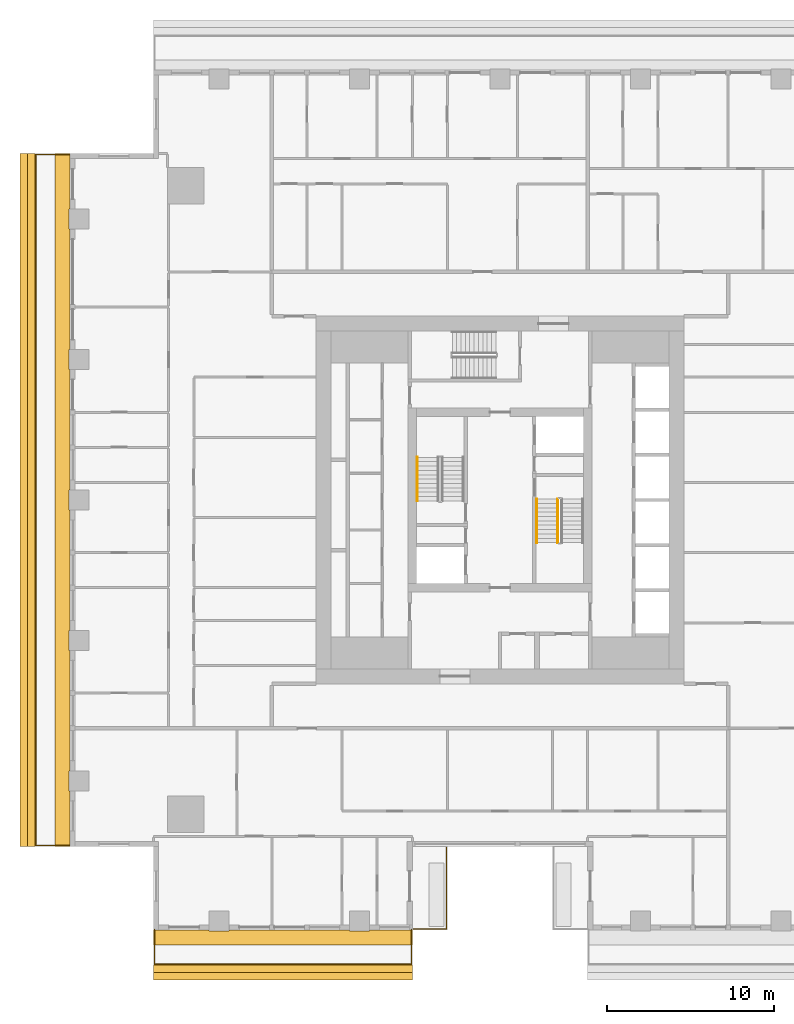
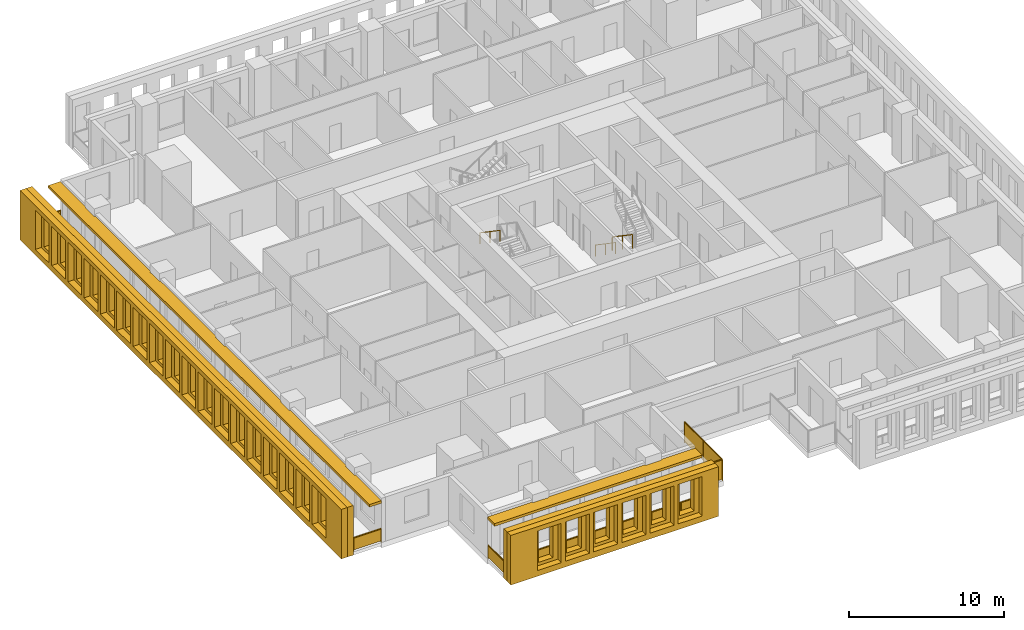
# One storey, part 11 of 15: 6 railings, 6 shading devices.
"""IFC4 building model written with IfcOpenShell, lengths in metres."""

from ifc_helpers import new_model, si_unit, direction, frame, origin, origin_2d, place, context, subcontext, project, spatial, polyline, rectangle, outline, extrude, material, layer, layer_set, type_object, element, save


model = new_model("IFC4")

# Units and contexts
model_context = context("Model", 3, precision=1e-05, world=origin(), true_north=direction((0.0, 1.0)))
body_context = subcontext(model_context, "Body", "Model", "MODEL_VIEW")
ifc_project = project(units=[si_unit("LENGTHUNIT", "METRE"), si_unit("AREAUNIT", "SQUARE_METRE"), si_unit("VOLUMEUNIT", "CUBIC_METRE"), si_unit("PLANEANGLEUNIT", "RADIAN"), si_unit("MASSUNIT", "GRAM", prefix="KILO")], contexts=[model_context])

# Site, building, storey
site_placement = place(None, origin())
site = spatial("IfcSite", under=ifc_project, at=site_placement, CompositionType="ELEMENT")
building_placement = place(site_placement, origin())
building = spatial("IfcBuilding", under=site, at=building_placement, Name="Khepri Terraces", CompositionType="ELEMENT")
storey_placement = place(building_placement, frame((0.0, 0.0, 248.39990234375)))
storey = spatial("IfcBuildingStorey", under=building, at=storey_placement, Name="L59", CompositionType="ELEMENT", Elevation=248.39990234375)

# Railings
ifc_material_1 = material(Name="Stainless steel grade 316", Category="steel")
railing_type_1 = type_object("IfcRailingType", Name="GRD-BAL-1100", PredefinedType="GUARDRAIL", material=ifc_material_1)
railing_1_placement = place(storey_placement, frame((-20.669921875, -25.719970703125, 0.0)))
element("IfcRailing", 1, at=railing_1_placement, inside=storey, type_object=railing_type_1, Name="Balcony guard L59 S", PredefinedType="GUARDRAIL", context=body_context, shape_type="SweptSolid", body=[
    extrude(rectangle(XDim=0.050048828125, YDim=0.06005859375, at=origin_2d()), frame((0.0, 0.0, 1.070068359375), z_axis=(0.0, -1.0, 0.0), x_axis=(1.0, 0.0, 0.0)), (0.0, 0.0, 1.0), 2.050048828125),
    extrude(rectangle(XDim=2.0, YDim=0.011962890625, at=origin_2d()), frame((0.0, -1.02490234375, 0.10009765625), z_axis=(0.0, 0.0, 1.0), x_axis=(0.0, -1.0, 0.0)), (0.0, 0.0, 1.0), 0.93994140625),
    extrude(rectangle(XDim=0.050048828125, YDim=0.06005859375, at=origin_2d()), frame((0.0, -2.050048828125, 1.070068359375), z_axis=(1.0, 0.0, 0.0), x_axis=(0.0, 1.0, 0.0)), (0.0, 0.0, 1.0), 15.369873046875),
    extrude(rectangle(XDim=2.145751953125, YDim=0.011962890625, at=origin_2d()), frame((1.097900390625, -2.050048828125, 0.10009765625), z_axis=(0.0, 0.0, 1.0), x_axis=(1.0, 0.0, 0.0)), (0.0, 0.0, 1.0), 0.93994140625),
    extrude(rectangle(XDim=2.145751953125, YDim=0.011962890625, at=origin_2d()), frame((3.29345703125, -2.050048828125, 0.10009765625), z_axis=(0.0, 0.0, 1.0), x_axis=(1.0, 0.0, 0.0)), (0.0, 0.0, 1.0), 0.93994140625),
    extrude(rectangle(XDim=2.145751953125, YDim=0.011962890625, at=origin_2d()), frame((5.4892578125, -2.050048828125, 0.10009765625), z_axis=(0.0, 0.0, 1.0), x_axis=(1.0, 0.0, 0.0)), (0.0, 0.0, 1.0), 0.93994140625),
    extrude(rectangle(XDim=2.145751953125, YDim=0.011962890625, at=origin_2d()), frame((7.68505859375, -2.050048828125, 0.10009765625), z_axis=(0.0, 0.0, 1.0), x_axis=(1.0, 0.0, 0.0)), (0.0, 0.0, 1.0), 0.93994140625),
    extrude(rectangle(XDim=2.145751953125, YDim=0.011962890625, at=origin_2d()), frame((9.880615234375, -2.050048828125, 0.10009765625), z_axis=(0.0, 0.0, 1.0), x_axis=(1.0, 0.0, 0.0)), (0.0, 0.0, 1.0), 0.93994140625),
    extrude(rectangle(XDim=2.145751953125, YDim=0.011962890625, at=origin_2d()), frame((12.076416015625, -2.050048828125, 0.10009765625), z_axis=(0.0, 0.0, 1.0), x_axis=(1.0, 0.0, 0.0)), (0.0, 0.0, 1.0), 0.93994140625),
    extrude(rectangle(XDim=2.145751953125, YDim=0.011962890625, at=origin_2d()), frame((14.27197265625, -2.050048828125, 0.10009765625), z_axis=(0.0, 0.0, 1.0), x_axis=(1.0, 0.0, 0.0)), (0.0, 0.0, 1.0), 0.93994140625),
    extrude(rectangle(XDim=0.050048828125, YDim=0.06005859375, at=origin_2d()), frame((15.369873046875, -2.050048828125, 1.070068359375), z_axis=(0.0, 1.0, 0.0), x_axis=(-1.0, 0.0, 0.0)), (0.0, 0.0, 1.0), 2.050048828125),
    extrude(rectangle(XDim=2.0, YDim=0.011962890625, at=origin_2d()), frame((15.369873046875, -1.02490234375, 0.10009765625), z_axis=(0.0, 0.0, 1.0), x_axis=(0.0, 1.0, 0.0)), (0.0, 0.0, 1.0), 0.93994140625),
    extrude(rectangle(XDim=0.050048828125, YDim=0.050048828125, at=origin_2d()), origin(), (0.0, 0.0, 1.0), 1.0400390625),
    extrude(rectangle(XDim=0.050048828125, YDim=0.050048828125, at=origin_2d()), frame((0.0, -2.050048828125, 0.0)), (0.0, 0.0, 1.0), 1.0400390625),
    extrude(rectangle(XDim=0.050048828125, YDim=0.050048828125, at=origin_2d()), frame((2.19580078125, -2.050048828125, 0.0)), (0.0, 0.0, 1.0), 1.0400390625),
    extrude(rectangle(XDim=0.050048828125, YDim=0.050048828125, at=origin_2d()), frame((4.391357421875, -2.050048828125, 0.0)), (0.0, 0.0, 1.0), 1.0400390625),
    extrude(rectangle(XDim=0.050048828125, YDim=0.050048828125, at=origin_2d()), frame((6.587158203125, -2.050048828125, 0.0)), (0.0, 0.0, 1.0), 1.0400390625),
    extrude(rectangle(XDim=0.050048828125, YDim=0.050048828125, at=origin_2d()), frame((8.78271484375, -2.050048828125, 0.0)), (0.0, 0.0, 1.0), 1.0400390625),
    extrude(rectangle(XDim=0.050048828125, YDim=0.050048828125, at=origin_2d()), frame((10.978515625, -2.050048828125, 0.0)), (0.0, 0.0, 1.0), 1.0400390625),
    extrude(rectangle(XDim=0.050048828125, YDim=0.050048828125, at=origin_2d()), frame((13.174072265625, -2.050048828125, 0.0)), (0.0, 0.0, 1.0), 1.0400390625),
    extrude(rectangle(XDim=0.050048828125, YDim=0.050048828125, at=origin_2d()), frame((15.369873046875, -2.050048828125, 0.0)), (0.0, 0.0, 1.0), 1.0400390625),
    extrude(rectangle(XDim=0.050048828125, YDim=0.050048828125, at=origin_2d()), frame((15.369873046875, 0.0, 0.0)), (0.0, 0.0, 1.0), 1.0400390625),
])
railing_2_placement = place(storey_placement, frame((-25.719970703125, 20.669921875, 0.0)))
element("IfcRailing", 2, at=railing_2_placement, inside=storey, type_object=railing_type_1, Name="Balcony guard L59 W", PredefinedType="GUARDRAIL", context=body_context, shape_type="SweptSolid", body=[
    extrude(rectangle(XDim=0.050048828125, YDim=0.06005859375, at=origin_2d()), frame((0.0, 0.0, 1.070068359375), z_axis=(-1.0, 0.0, 0.0), x_axis=(0.0, -1.0, 0.0)), (0.0, 0.0, 1.0), 2.050048828125),
    extrude(rectangle(XDim=2.0, YDim=0.011962890625, at=origin_2d()), frame((-1.02490234375, 0.0, 0.10009765625), z_axis=(0.0, 0.0, 1.0), x_axis=(-1.0, 0.0, 0.0)), (0.0, 0.0, 1.0), 0.93994140625),
    extrude(rectangle(XDim=0.050048828125, YDim=0.06005859375, at=origin_2d()), frame((-2.050048828125, 0.0, 1.070068359375), z_axis=(0.0, -1.0, 0.0), x_axis=(1.0, 0.0, 0.0)), (0.0, 0.0, 1.0), 41.33984375),
    extrude(rectangle(XDim=2.24658203125, YDim=0.011962890625, at=origin_2d()), frame((-2.050048828125, -1.1484375, 0.10009765625), z_axis=(0.0, 0.0, 1.0), x_axis=(0.0, -1.0, 0.0)), (0.0, 0.0, 1.0), 0.93994140625),
    extrude(rectangle(XDim=2.24658203125, YDim=0.011962890625, at=origin_2d()), frame((-2.050048828125, -3.445068359375, 0.10009765625), z_axis=(0.0, 0.0, 1.0), x_axis=(0.0, -1.0, 0.0)), (0.0, 0.0, 1.0), 0.93994140625),
    extrude(rectangle(XDim=2.24658203125, YDim=0.011962890625, at=origin_2d()), frame((-2.050048828125, -5.74169921875, 0.10009765625), z_axis=(0.0, 0.0, 1.0), x_axis=(0.0, -1.0, 0.0)), (0.0, 0.0, 1.0), 0.93994140625),
    extrude(rectangle(XDim=2.24658203125, YDim=0.011962890625, at=origin_2d()), frame((-2.050048828125, -8.038330078125, 0.10009765625), z_axis=(0.0, 0.0, 1.0), x_axis=(0.0, -1.0, 0.0)), (0.0, 0.0, 1.0), 0.93994140625),
    extrude(rectangle(XDim=2.24658203125, YDim=0.011962890625, at=origin_2d()), frame((-2.050048828125, -10.3349609375, 0.10009765625), z_axis=(0.0, 0.0, 1.0), x_axis=(0.0, -1.0, 0.0)), (0.0, 0.0, 1.0), 0.93994140625),
    extrude(rectangle(XDim=2.24658203125, YDim=0.011962890625, at=origin_2d()), frame((-2.050048828125, -12.631591796875, 0.10009765625), z_axis=(0.0, 0.0, 1.0), x_axis=(0.0, -1.0, 0.0)), (0.0, 0.0, 1.0), 0.93994140625),
    extrude(rectangle(XDim=2.24658203125, YDim=0.011962890625, at=origin_2d()), frame((-2.050048828125, -14.92822265625, 0.10009765625), z_axis=(0.0, 0.0, 1.0), x_axis=(0.0, -1.0, 0.0)), (0.0, 0.0, 1.0), 0.93994140625),
    extrude(rectangle(XDim=2.24658203125, YDim=0.011962890625, at=origin_2d()), frame((-2.050048828125, -17.224853515625, 0.10009765625), z_axis=(0.0, 0.0, 1.0), x_axis=(0.0, -1.0, 0.0)), (0.0, 0.0, 1.0), 0.93994140625),
    extrude(rectangle(XDim=2.24658203125, YDim=0.011962890625, at=origin_2d()), frame((-2.050048828125, -19.521484375, 0.10009765625), z_axis=(0.0, 0.0, 1.0), x_axis=(0.0, -1.0, 0.0)), (0.0, 0.0, 1.0), 0.93994140625),
    extrude(rectangle(XDim=2.24658203125, YDim=0.011962890625, at=origin_2d()), frame((-2.050048828125, -21.818359375, 0.10009765625), z_axis=(0.0, 0.0, 1.0), x_axis=(0.0, -1.0, 0.0)), (0.0, 0.0, 1.0), 0.93994140625),
    extrude(rectangle(XDim=2.24658203125, YDim=0.011962890625, at=origin_2d()), frame((-2.050048828125, -24.114990234375, 0.10009765625), z_axis=(0.0, 0.0, 1.0), x_axis=(0.0, -1.0, 0.0)), (0.0, 0.0, 1.0), 0.93994140625),
    extrude(rectangle(XDim=2.24658203125, YDim=0.011962890625, at=origin_2d()), frame((-2.050048828125, -26.41162109375, 0.10009765625), z_axis=(0.0, 0.0, 1.0), x_axis=(0.0, -1.0, 0.0)), (0.0, 0.0, 1.0), 0.93994140625),
    extrude(rectangle(XDim=2.24658203125, YDim=0.011962890625, at=origin_2d()), frame((-2.050048828125, -28.708251953125, 0.10009765625), z_axis=(0.0, 0.0, 1.0), x_axis=(0.0, -1.0, 0.0)), (0.0, 0.0, 1.0), 0.93994140625),
    extrude(rectangle(XDim=2.24658203125, YDim=0.011962890625, at=origin_2d()), frame((-2.050048828125, -31.0048828125, 0.10009765625), z_axis=(0.0, 0.0, 1.0), x_axis=(0.0, -1.0, 0.0)), (0.0, 0.0, 1.0), 0.93994140625),
    extrude(rectangle(XDim=2.24658203125, YDim=0.011962890625, at=origin_2d()), frame((-2.050048828125, -33.301513671875, 0.10009765625), z_axis=(0.0, 0.0, 1.0), x_axis=(0.0, -1.0, 0.0)), (0.0, 0.0, 1.0), 0.93994140625),
    extrude(rectangle(XDim=2.24658203125, YDim=0.011962890625, at=origin_2d()), frame((-2.050048828125, -35.59814453125, 0.10009765625), z_axis=(0.0, 0.0, 1.0), x_axis=(0.0, -1.0, 0.0)), (0.0, 0.0, 1.0), 0.93994140625),
    extrude(rectangle(XDim=2.24658203125, YDim=0.011962890625, at=origin_2d()), frame((-2.050048828125, -37.894775390625, 0.10009765625), z_axis=(0.0, 0.0, 1.0), x_axis=(0.0, -1.0, 0.0)), (0.0, 0.0, 1.0), 0.93994140625),
    extrude(rectangle(XDim=2.24658203125, YDim=0.011962890625, at=origin_2d()), frame((-2.050048828125, -40.19140625, 0.10009765625), z_axis=(0.0, 0.0, 1.0), x_axis=(0.0, -1.0, 0.0)), (0.0, 0.0, 1.0), 0.93994140625),
    extrude(rectangle(XDim=0.050048828125, YDim=0.06005859375, at=origin_2d()), frame((-2.050048828125, -41.33984375, 1.070068359375), z_axis=(1.0, 0.0, 0.0), x_axis=(0.0, 1.0, 0.0)), (0.0, 0.0, 1.0), 2.050048828125),
    extrude(rectangle(XDim=2.0, YDim=0.011962890625, at=origin_2d()), frame((-1.02490234375, -41.33984375, 0.10009765625), z_axis=(0.0, 0.0, 1.0), x_axis=(1.0, 0.0, 0.0)), (0.0, 0.0, 1.0), 0.93994140625),
    extrude(rectangle(XDim=0.050048828125, YDim=0.050048828125, at=origin_2d()), origin(), (0.0, 0.0, 1.0), 1.0400390625),
    extrude(rectangle(XDim=0.050048828125, YDim=0.050048828125, at=origin_2d()), frame((-2.050048828125, 0.0, 0.0)), (0.0, 0.0, 1.0), 1.0400390625),
    extrude(rectangle(XDim=0.050048828125, YDim=0.050048828125, at=origin_2d()), frame((-2.050048828125, -2.296630859375, 0.0)), (0.0, 0.0, 1.0), 1.0400390625),
    extrude(rectangle(XDim=0.050048828125, YDim=0.050048828125, at=origin_2d()), frame((-2.050048828125, -4.59326171875, 0.0)), (0.0, 0.0, 1.0), 1.0400390625),
    extrude(rectangle(XDim=0.050048828125, YDim=0.050048828125, at=origin_2d()), frame((-2.050048828125, -6.889892578125, 0.0)), (0.0, 0.0, 1.0), 1.0400390625),
    extrude(rectangle(XDim=0.050048828125, YDim=0.050048828125, at=origin_2d()), frame((-2.050048828125, -9.1865234375, 0.0)), (0.0, 0.0, 1.0), 1.0400390625),
    extrude(rectangle(XDim=0.050048828125, YDim=0.050048828125, at=origin_2d()), frame((-2.050048828125, -11.4833984375, 0.0)), (0.0, 0.0, 1.0), 1.0400390625),
    extrude(rectangle(XDim=0.050048828125, YDim=0.050048828125, at=origin_2d()), frame((-2.050048828125, -13.780029296875, 0.0)), (0.0, 0.0, 1.0), 1.0400390625),
    extrude(rectangle(XDim=0.050048828125, YDim=0.050048828125, at=origin_2d()), frame((-2.050048828125, -16.07666015625, 0.0)), (0.0, 0.0, 1.0), 1.0400390625),
    extrude(rectangle(XDim=0.050048828125, YDim=0.050048828125, at=origin_2d()), frame((-2.050048828125, -18.373291015625, 0.0)), (0.0, 0.0, 1.0), 1.0400390625),
    extrude(rectangle(XDim=0.050048828125, YDim=0.050048828125, at=origin_2d()), frame((-2.050048828125, -20.669921875, 0.0)), (0.0, 0.0, 1.0), 1.0400390625),
    extrude(rectangle(XDim=0.050048828125, YDim=0.050048828125, at=origin_2d()), frame((-2.050048828125, -22.966552734375, 0.0)), (0.0, 0.0, 1.0), 1.0400390625),
    extrude(rectangle(XDim=0.050048828125, YDim=0.050048828125, at=origin_2d()), frame((-2.050048828125, -25.26318359375, 0.0)), (0.0, 0.0, 1.0), 1.0400390625),
    extrude(rectangle(XDim=0.050048828125, YDim=0.050048828125, at=origin_2d()), frame((-2.050048828125, -27.559814453125, 0.0)), (0.0, 0.0, 1.0), 1.0400390625),
    extrude(rectangle(XDim=0.050048828125, YDim=0.050048828125, at=origin_2d()), frame((-2.050048828125, -29.8564453125, 0.0)), (0.0, 0.0, 1.0), 1.0400390625),
    extrude(rectangle(XDim=0.050048828125, YDim=0.050048828125, at=origin_2d()), frame((-2.050048828125, -32.1533203125, 0.0)), (0.0, 0.0, 1.0), 1.0400390625),
    extrude(rectangle(XDim=0.050048828125, YDim=0.050048828125, at=origin_2d()), frame((-2.050048828125, -34.449951171875, 0.0)), (0.0, 0.0, 1.0), 1.0400390625),
    extrude(rectangle(XDim=0.050048828125, YDim=0.050048828125, at=origin_2d()), frame((-2.050048828125, -36.74658203125, 0.0)), (0.0, 0.0, 1.0), 1.0400390625),
    extrude(rectangle(XDim=0.050048828125, YDim=0.050048828125, at=origin_2d()), frame((-2.050048828125, -39.043212890625, 0.0)), (0.0, 0.0, 1.0), 1.0400390625),
    extrude(rectangle(XDim=0.050048828125, YDim=0.050048828125, at=origin_2d()), frame((-2.050048828125, -41.33984375, 0.0)), (0.0, 0.0, 1.0), 1.0400390625),
    extrude(rectangle(XDim=0.050048828125, YDim=0.050048828125, at=origin_2d()), frame((0.0, -41.33984375, 0.0)), (0.0, 0.0, 1.0), 1.0400390625),
])
railing_type_2 = type_object("IfcRailingType", Name="GRD-TERR-1700", PredefinedType="GUARDRAIL", material=ifc_material_1)
railing_3_placement = place(storey_placement, frame((-3.199951171875, -20.7900390625, 0.0)))
element("IfcRailing", 3, at=railing_3_placement, inside=storey, type_object=railing_type_2, Name="Terrace guard L59", PredefinedType="GUARDRAIL", context=body_context, shape_type="SweptSolid", body=[
    extrude(rectangle(XDim=0.050048828125, YDim=0.06005859375, at=origin_2d()), frame((0.0, 0.0, 1.669921875), z_axis=(0.0, -1.0, 0.0), x_axis=(1.0, 0.0, 0.0)), (0.0, 0.0, 1.0), 4.8798828125),
    extrude(rectangle(XDim=2.389892578125, YDim=0.011962890625, at=origin_2d()), frame((0.0, -1.219970703125, 0.10009765625), z_axis=(0.0, 0.0, 1.0), x_axis=(0.0, -1.0, 0.0)), (0.0, 0.0, 1.0), 1.539794921875),
    extrude(rectangle(XDim=2.389892578125, YDim=0.011962890625, at=origin_2d()), frame((0.0, -3.659912109375, 0.10009765625), z_axis=(0.0, 0.0, 1.0), x_axis=(0.0, -1.0, 0.0)), (0.0, 0.0, 1.0), 1.539794921875),
    extrude(rectangle(XDim=0.050048828125, YDim=0.06005859375, at=origin_2d()), frame((0.0, -4.8798828125, 1.669921875), z_axis=(-1.0, 0.0, 0.0), x_axis=(0.0, -1.0, 0.0)), (0.0, 0.0, 1.0), 1.97998046875),
    extrude(rectangle(XDim=1.929931640625, YDim=0.011962890625, at=origin_2d()), frame((-0.989990234375, -4.8798828125, 0.10009765625), z_axis=(0.0, 0.0, 1.0), x_axis=(-1.0, 0.0, 0.0)), (0.0, 0.0, 1.0), 1.539794921875),
    extrude(rectangle(XDim=0.050048828125, YDim=0.050048828125, at=origin_2d()), origin(), (0.0, 0.0, 1.0), 1.639892578125),
    extrude(rectangle(XDim=0.050048828125, YDim=0.050048828125, at=origin_2d()), frame((0.0, -2.43994140625, 0.0)), (0.0, 0.0, 1.0), 1.639892578125),
    extrude(rectangle(XDim=0.050048828125, YDim=0.050048828125, at=origin_2d()), frame((0.0, -4.8798828125, 0.0)), (0.0, 0.0, 1.0), 1.639892578125),
    extrude(rectangle(XDim=0.050048828125, YDim=0.050048828125, at=origin_2d()), frame((-1.97998046875, -4.8798828125, 0.0)), (0.0, 0.0, 1.0), 1.639892578125),
])
ifc_material_2 = material(Name="Stainless steel 316", Category="steel")
railing_type_3 = type_object("IfcRailingType", Name="RL-CORE-GUARD", PredefinedType="GUARDRAIL", material=ifc_material_2)
railing_4_placement = place(storey_placement, frame((3.449951171875, 0.050048828125, 0.177490234375)))
element("IfcRailing", 4, at=railing_4_placement, inside=storey, type_object=railing_type_3, Name="L59 ST-2 stair guard 1", PredefinedType="GUARDRAIL", context=body_context, shape_type="SweptSolid", body=[
    extrude(rectangle(XDim=0.050048828125, YDim=0.06005859375, at=origin_2d()), frame((0.0, 0.0, 1.070068359375), z_axis=(0.0, -0.826240473404, 0.563317565952), x_axis=(1.0, 0.0, 0.0)), (0.0, 0.0, 1.0), 3.14697265625),
    extrude(rectangle(XDim=0.050048828125, YDim=0.050048828125, at=origin_2d()), origin(), (0.0, 0.0, 1.0), 1.0400390625),
    extrude(rectangle(XDim=0.050048828125, YDim=0.050048828125, at=origin_2d()), frame((0.0, -1.300048828125, 0.88623046875)), (0.0, 0.0, 1.0), 1.0400390625),
    extrude(rectangle(XDim=0.050048828125, YDim=0.050048828125, at=origin_2d()), frame((0.0, -2.60009765625, 1.772705078125)), (0.0, 0.0, 1.0), 1.0400390625),
])
railing_type_4 = type_object("IfcRailingType", Name="RL-CORE-HANDRAIL", PredefinedType="HANDRAIL", material=ifc_material_2)
for number, where, name in (
    (5, (-4.949951171875, 2.550048828125, 2.12744140625), "L59 ST-1 stair handrail 2"),
    (6, (2.199951171875, 0.050048828125, 0.177490234375), "L59 ST-2 stair handrail 1"),
):
    element("IfcRailing", number, at=place(storey_placement, frame(where)), inside=storey, type_object=railing_type_4, Name=name, PredefinedType="HANDRAIL", context=body_context, shape_type="SweptSolid", body=[
        extrude(rectangle(XDim=0.050048828125, YDim=0.050048828125, at=origin_2d()), frame((0.0, 0.0, 0.875), z_axis=(0.0, -0.826240473404, 0.563317565952), x_axis=(1.0, 0.0, 0.0)), (0.0, 0.0, 1.0), 3.14697265625),
        extrude(rectangle(XDim=0.050048828125, YDim=0.050048828125, at=origin_2d()), origin(), (0.0, 0.0, 1.0), 0.849853515625),
        extrude(rectangle(XDim=0.050048828125, YDim=0.050048828125, at=origin_2d()), frame((0.0, -1.300048828125, 0.88623046875)), (0.0, 0.0, 1.0), 0.849853515625),
        extrude(rectangle(XDim=0.050048828125, YDim=0.050048828125, at=origin_2d()), frame((0.0, -2.60009765625, 1.772705078125)), (0.0, 0.0, 1.0), 0.849853515625),
    ])

# Shading devices
ifc_material_3 = material(Name="Precast concrete C50/60 warm stone", Category="masonry")
shading_device_type_1 = type_object("IfcShadingDeviceType", Name="SCR-CELL-INNER-450", PredefinedType="USERDEFINED", material=ifc_material_3)
shading_device_1_placement = place(storey_placement, frame((-20.719970703125, -27.820068359375, -0.25), z_axis=(0.0, -1.0, 0.0), x_axis=(1.0, 0.0, 0.0)))
element("IfcShadingDevice", 7, at=shading_device_1_placement, inside=storey, type_object=shading_device_type_1, Name="Cell screen L59 S in", ObjectType="SCREEN", PredefinedType="USERDEFINED", context=body_context, shape_type="SweptSolid", body=[
    extrude(outline(polyline([(0.0, 0.0), (15.469970703125, 0.0), (15.469970703125, 3.89990234375), (0.0, 3.89990234375), (0.0, 0.0)]), holes=[polyline([(0.2265625, 0.699951171875), (1.3134765625, 0.699951171875), (1.3134765625, 3.300048828125), (0.2265625, 3.300048828125), (0.2265625, 0.699951171875)]), polyline([(2.32666015625, 0.699951171875), (3.413330078125, 0.699951171875), (3.413330078125, 3.300048828125), (2.32666015625, 3.300048828125), (2.32666015625, 0.699951171875)]), polyline([(4.426513671875, 0.699951171875), (5.513427734375, 0.699951171875), (5.513427734375, 3.300048828125), (4.426513671875, 3.300048828125), (4.426513671875, 0.699951171875)]), polyline([(6.526611328125, 0.699951171875), (7.61328125, 0.699951171875), (7.61328125, 3.300048828125), (6.526611328125, 3.300048828125), (6.526611328125, 0.699951171875)]), polyline([(8.626708984375, 0.699951171875), (9.71337890625, 0.699951171875), (9.71337890625, 3.300048828125), (8.626708984375, 3.300048828125), (8.626708984375, 0.699951171875)]), polyline([(10.7265625, 0.699951171875), (11.8134765625, 0.699951171875), (11.8134765625, 3.300048828125), (10.7265625, 3.300048828125), (10.7265625, 0.699951171875)]), polyline([(12.82666015625, 0.699951171875), (13.913330078125, 0.699951171875), (13.913330078125, 3.300048828125), (12.82666015625, 3.300048828125), (12.82666015625, 0.699951171875)])]), origin(), (0.0, 0.0, 1.0), 0.449951171875),
])
shading_device_2_placement = place(storey_placement, frame((-27.820068359375, 20.719970703125, -0.25), z_axis=(-1.0, 0.0, 0.0), x_axis=(0.0, -1.0, 0.0)))
element("IfcShadingDevice", 8, at=shading_device_2_placement, inside=storey, type_object=shading_device_type_1, Name="Cell screen L59 W in", ObjectType="SCREEN", PredefinedType="USERDEFINED", context=body_context, shape_type="SweptSolid", body=[
    extrude(outline(polyline([(0.0, 0.0), (41.43994140625, 0.0), (41.43994140625, 3.89990234375), (0.0, 3.89990234375), (0.0, 0.0)]), holes=[polyline([(0.2265625, 0.699951171875), (1.3134765625, 0.699951171875), (1.3134765625, 3.300048828125), (0.2265625, 3.300048828125), (0.2265625, 0.699951171875)]), polyline([(2.32666015625, 0.699951171875), (3.413330078125, 0.699951171875), (3.413330078125, 3.300048828125), (2.32666015625, 3.300048828125), (2.32666015625, 0.699951171875)]), polyline([(4.426513671875, 0.699951171875), (5.513427734375, 0.699951171875), (5.513427734375, 3.300048828125), (4.426513671875, 3.300048828125), (4.426513671875, 0.699951171875)]), polyline([(6.526611328125, 0.699951171875), (7.61328125, 0.699951171875), (7.61328125, 3.300048828125), (6.526611328125, 3.300048828125), (6.526611328125, 0.699951171875)]), polyline([(8.626708984375, 0.699951171875), (9.71337890625, 0.699951171875), (9.71337890625, 3.300048828125), (8.626708984375, 3.300048828125), (8.626708984375, 0.699951171875)]), polyline([(10.7265625, 0.699951171875), (11.8134765625, 0.699951171875), (11.8134765625, 3.300048828125), (10.7265625, 3.300048828125), (10.7265625, 0.699951171875)]), polyline([(12.82666015625, 0.699951171875), (13.913330078125, 0.699951171875), (13.913330078125, 3.300048828125), (12.82666015625, 3.300048828125), (12.82666015625, 0.699951171875)]), polyline([(14.926513671875, 0.699951171875), (16.013427734375, 0.699951171875), (16.013427734375, 3.300048828125), (14.926513671875, 3.300048828125), (14.926513671875, 0.699951171875)]), polyline([(17.026611328125, 0.699951171875), (18.11328125, 0.699951171875), (18.11328125, 3.300048828125), (17.026611328125, 3.300048828125), (17.026611328125, 0.699951171875)]), polyline([(19.126708984375, 0.699951171875), (20.21337890625, 0.699951171875), (20.21337890625, 3.300048828125), (19.126708984375, 3.300048828125), (19.126708984375, 0.699951171875)]), polyline([(21.2265625, 0.699951171875), (22.3134765625, 0.699951171875), (22.3134765625, 3.300048828125), (21.2265625, 3.300048828125), (21.2265625, 0.699951171875)]), polyline([(23.32666015625, 0.699951171875), (24.413330078125, 0.699951171875), (24.413330078125, 3.300048828125), (23.32666015625, 3.300048828125), (23.32666015625, 0.699951171875)]), polyline([(25.426513671875, 0.699951171875), (26.513427734375, 0.699951171875), (26.513427734375, 3.300048828125), (25.426513671875, 3.300048828125), (25.426513671875, 0.699951171875)]), polyline([(27.526611328125, 0.699951171875), (28.61328125, 0.699951171875), (28.61328125, 3.300048828125), (27.526611328125, 3.300048828125), (27.526611328125, 0.699951171875)]), polyline([(29.626708984375, 0.699951171875), (30.71337890625, 0.699951171875), (30.71337890625, 3.300048828125), (29.626708984375, 3.300048828125), (29.626708984375, 0.699951171875)]), polyline([(31.7265625, 0.699951171875), (32.8134765625, 0.699951171875), (32.8134765625, 3.300048828125), (31.7265625, 3.300048828125), (31.7265625, 0.699951171875)]), polyline([(33.82666015625, 0.699951171875), (34.913330078125, 0.699951171875), (34.913330078125, 3.300048828125), (33.82666015625, 3.300048828125), (33.82666015625, 0.699951171875)]), polyline([(35.926513671875, 0.699951171875), (37.013427734375, 0.699951171875), (37.013427734375, 3.300048828125), (35.926513671875, 3.300048828125), (35.926513671875, 0.699951171875)]), polyline([(38.026611328125, 0.699951171875), (39.11328125, 0.699951171875), (39.11328125, 3.300048828125), (38.026611328125, 3.300048828125), (38.026611328125, 0.699951171875)]), polyline([(40.126708984375, 0.699951171875), (41.21337890625, 0.699951171875), (41.21337890625, 3.300048828125), (40.126708984375, 3.300048828125), (40.126708984375, 0.699951171875)])]), origin(), (0.0, 0.0, 1.0), 0.449951171875),
])
shading_device_type_2 = type_object("IfcShadingDeviceType", Name="SCR-CELL-OUTER-450", PredefinedType="USERDEFINED", material=ifc_material_3)
shading_device_3_placement = place(storey_placement, frame((-20.719970703125, -28.27001953125, -0.25), z_axis=(0.0, -1.0, 0.0), x_axis=(1.0, 0.0, 0.0)))
element("IfcShadingDevice", 9, at=shading_device_3_placement, inside=storey, type_object=shading_device_type_2, Name="Cell screen L59 S out", ObjectType="SCREEN", PredefinedType="USERDEFINED", context=body_context, shape_type="SweptSolid", body=[
    extrude(outline(polyline([(0.0, 0.0), (15.469970703125, 0.0), (15.469970703125, 3.89990234375), (0.0, 3.89990234375), (0.0, 0.0)]), holes=[polyline([(1.9765625, 0.449951171875), (3.763427734375, 0.449951171875), (3.763427734375, 3.550048828125), (1.9765625, 3.550048828125), (1.9765625, 0.449951171875)]), polyline([(4.07666015625, 0.449951171875), (5.86328125, 0.449951171875), (5.86328125, 3.550048828125), (4.07666015625, 3.550048828125), (4.07666015625, 0.449951171875)]), polyline([(6.176513671875, 0.449951171875), (7.96337890625, 0.449951171875), (7.96337890625, 3.550048828125), (6.176513671875, 3.550048828125), (6.176513671875, 0.449951171875)]), polyline([(8.276611328125, 0.449951171875), (10.0634765625, 0.449951171875), (10.0634765625, 3.550048828125), (8.276611328125, 3.550048828125), (8.276611328125, 0.449951171875)]), polyline([(10.376708984375, 0.449951171875), (12.163330078125, 0.449951171875), (12.163330078125, 3.550048828125), (10.376708984375, 3.550048828125), (10.376708984375, 0.449951171875)]), polyline([(12.4765625, 0.449951171875), (14.263427734375, 0.449951171875), (14.263427734375, 3.550048828125), (12.4765625, 3.550048828125), (12.4765625, 0.449951171875)])]), origin(), (0.0, 0.0, 1.0), 0.449951171875),
])
shading_device_4_placement = place(storey_placement, frame((-28.27001953125, 20.719970703125, -0.25), z_axis=(-1.0, 0.0, 0.0), x_axis=(0.0, -1.0, 0.0)))
element("IfcShadingDevice", 10, at=shading_device_4_placement, inside=storey, type_object=shading_device_type_2, Name="Cell screen L59 W out", ObjectType="SCREEN", PredefinedType="USERDEFINED", context=body_context, shape_type="SweptSolid", body=[
    extrude(outline(polyline([(0.0, 0.0), (41.43994140625, 0.0), (41.43994140625, 3.89990234375), (0.0, 3.89990234375), (0.0, 0.0)]), holes=[polyline([(1.9765625, 0.449951171875), (3.763427734375, 0.449951171875), (3.763427734375, 3.550048828125), (1.9765625, 3.550048828125), (1.9765625, 0.449951171875)]), polyline([(4.07666015625, 0.449951171875), (5.86328125, 0.449951171875), (5.86328125, 3.550048828125), (4.07666015625, 3.550048828125), (4.07666015625, 0.449951171875)]), polyline([(6.176513671875, 0.449951171875), (7.96337890625, 0.449951171875), (7.96337890625, 3.550048828125), (6.176513671875, 3.550048828125), (6.176513671875, 0.449951171875)]), polyline([(8.276611328125, 0.449951171875), (10.0634765625, 0.449951171875), (10.0634765625, 3.550048828125), (8.276611328125, 3.550048828125), (8.276611328125, 0.449951171875)]), polyline([(10.376708984375, 0.449951171875), (12.163330078125, 0.449951171875), (12.163330078125, 3.550048828125), (10.376708984375, 3.550048828125), (10.376708984375, 0.449951171875)]), polyline([(12.4765625, 0.449951171875), (14.263427734375, 0.449951171875), (14.263427734375, 3.550048828125), (12.4765625, 3.550048828125), (12.4765625, 0.449951171875)]), polyline([(14.57666015625, 0.449951171875), (16.36328125, 0.449951171875), (16.36328125, 3.550048828125), (14.57666015625, 3.550048828125), (14.57666015625, 0.449951171875)]), polyline([(16.676513671875, 0.449951171875), (18.46337890625, 0.449951171875), (18.46337890625, 3.550048828125), (16.676513671875, 3.550048828125), (16.676513671875, 0.449951171875)]), polyline([(18.776611328125, 0.449951171875), (20.5634765625, 0.449951171875), (20.5634765625, 3.550048828125), (18.776611328125, 3.550048828125), (18.776611328125, 0.449951171875)]), polyline([(20.876708984375, 0.449951171875), (22.663330078125, 0.449951171875), (22.663330078125, 3.550048828125), (20.876708984375, 3.550048828125), (20.876708984375, 0.449951171875)]), polyline([(22.9765625, 0.449951171875), (24.763427734375, 0.449951171875), (24.763427734375, 3.550048828125), (22.9765625, 3.550048828125), (22.9765625, 0.449951171875)]), polyline([(25.07666015625, 0.449951171875), (26.86328125, 0.449951171875), (26.86328125, 3.550048828125), (25.07666015625, 3.550048828125), (25.07666015625, 0.449951171875)]), polyline([(27.176513671875, 0.449951171875), (28.96337890625, 0.449951171875), (28.96337890625, 3.550048828125), (27.176513671875, 3.550048828125), (27.176513671875, 0.449951171875)]), polyline([(29.276611328125, 0.449951171875), (31.0634765625, 0.449951171875), (31.0634765625, 3.550048828125), (29.276611328125, 3.550048828125), (29.276611328125, 0.449951171875)]), polyline([(31.376708984375, 0.449951171875), (33.163330078125, 0.449951171875), (33.163330078125, 3.550048828125), (31.376708984375, 3.550048828125), (31.376708984375, 0.449951171875)]), polyline([(33.4765625, 0.449951171875), (35.263427734375, 0.449951171875), (35.263427734375, 3.550048828125), (33.4765625, 3.550048828125), (33.4765625, 0.449951171875)]), polyline([(35.57666015625, 0.449951171875), (37.36328125, 0.449951171875), (37.36328125, 3.550048828125), (35.57666015625, 3.550048828125), (35.57666015625, 0.449951171875)]), polyline([(37.676513671875, 0.449951171875), (39.46337890625, 0.449951171875), (39.46337890625, 3.550048828125), (37.676513671875, 3.550048828125), (37.676513671875, 0.449951171875)])]), origin(), (0.0, 0.0, 1.0), 0.449951171875),
])
ifc_layer = layer(ifc_material_3, 0.199951171875, Name="Precast concrete C50/60 warm stone", Category="masonry")
ifc_layer_set = layer_set([ifc_layer], Name="Precast concrete C50/60 warm stone")
shading_device_type_3 = type_object("IfcShadingDeviceType", Name="SSH-BAND-STONE-200", PredefinedType="USERDEFINED", material=ifc_layer_set)
shading_device_5_placement = place(storey_placement, frame((0.0, 0.0, 3.10009765625)))
element("IfcShadingDevice", 11, at=shading_device_5_placement, inside=storey, type_object=shading_device_type_3, Name="Sunshade band L59 S", ObjectType="SUNSHADE", PredefinedType="USERDEFINED", context=body_context, shape_type="SweptSolid", body=[
    extrude(outline(polyline([(-17.39990234375, -25.719970703125), (-20.719970703125, -25.719970703125), (-20.719970703125, -26.6201171875), (-5.25, -26.6201171875), (-5.25, -25.719970703125), (-7.800048828125, -25.719970703125), (-7.800048828125, -25.800048828125), (-9.0, -25.800048828125), (-9.0, -25.719970703125), (-16.199951171875, -25.719970703125), (-16.199951171875, -25.800048828125), (-17.39990234375, -25.800048828125), (-17.39990234375, -25.719970703125)])), origin(), (0.0, 0.0, 1.0), 0.199951171875),
])
shading_device_6_placement = place(storey_placement, frame((0.0, 0.0, 3.10009765625)))
element("IfcShadingDevice", 12, at=shading_device_6_placement, inside=storey, type_object=shading_device_type_3, Name="Sunshade band L59 W", ObjectType="SUNSHADE", PredefinedType="USERDEFINED", context=body_context, shape_type="SweptSolid", body=[
    extrude(outline(polyline([(-25.719970703125, 17.39990234375), (-25.719970703125, 20.719970703125), (-26.6201171875, 20.719970703125), (-26.6201171875, -20.719970703125), (-25.719970703125, -20.719970703125), (-25.719970703125, -17.39990234375), (-25.800048828125, -17.39990234375), (-25.800048828125, -16.199951171875), (-25.719970703125, -16.199951171875), (-25.719970703125, -9.0), (-25.800048828125, -9.0), (-25.800048828125, -7.800048828125), (-25.719970703125, -7.800048828125), (-25.719970703125, -0.60009765625), (-25.800048828125, -0.60009765625), (-25.800048828125, 0.60009765625), (-25.719970703125, 0.60009765625), (-25.719970703125, 7.800048828125), (-25.800048828125, 7.800048828125), (-25.800048828125, 9.0), (-25.719970703125, 9.0), (-25.719970703125, 16.199951171875), (-25.800048828125, 16.199951171875), (-25.800048828125, 17.39990234375), (-25.719970703125, 17.39990234375)])), origin(), (0.0, 0.0, 1.0), 0.199951171875),
])

save(model, "model.ifc")
